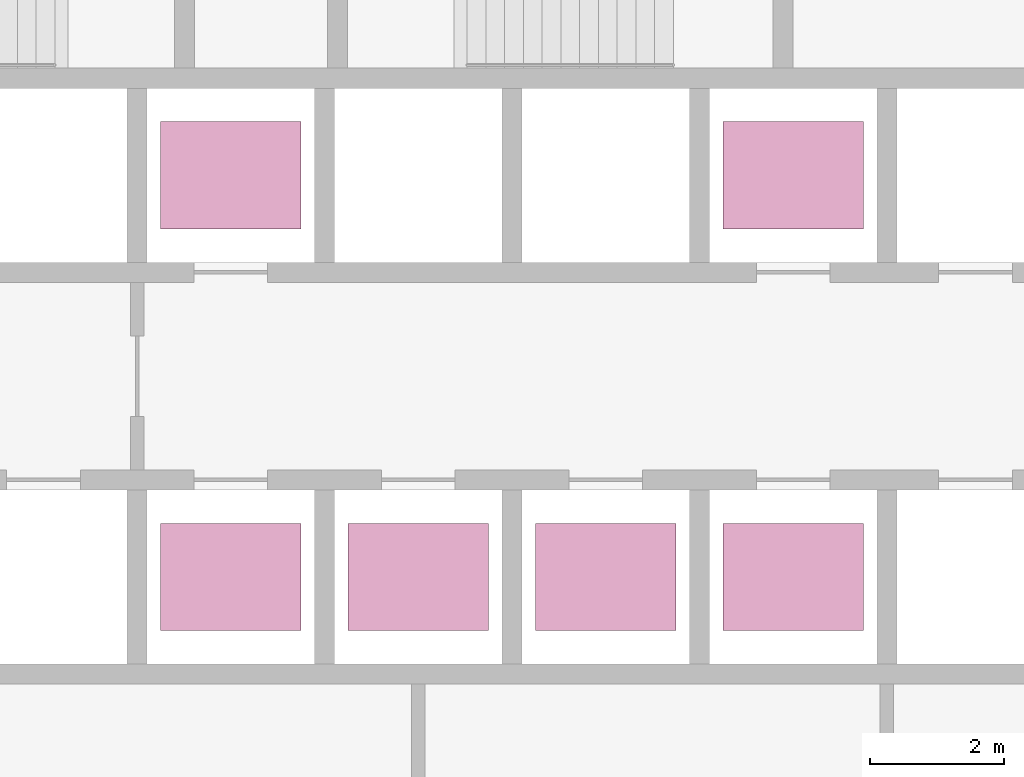
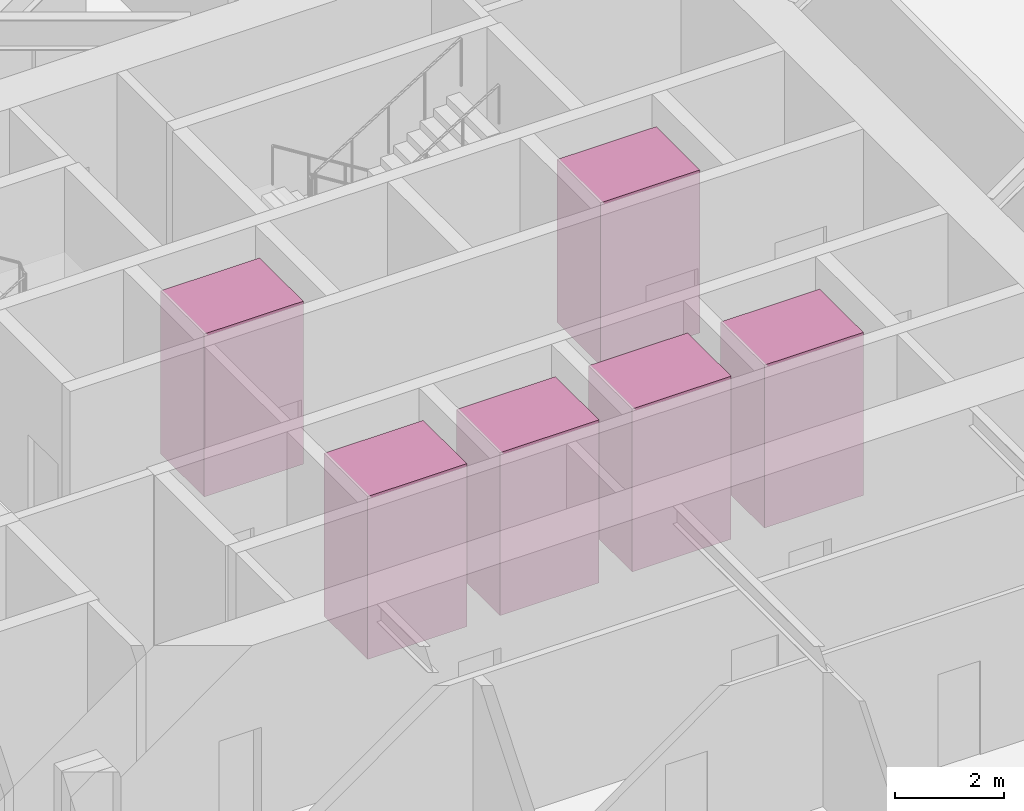
# One storey, part 21 of 21: 6 transport elements.
"""IFC4 building model written with IfcOpenShell, lengths in metres."""

from ifc_helpers import new_model, si_unit, direction, frame, origin, origin_2d, place, context, subcontext, project, spatial, rectangle, extrude, material, type_object, element, save


model = new_model("IFC4")

# Units and contexts
model_context = context("Model", 3, precision=1e-05, world=origin(), true_north=direction((0.0, 1.0)))
body_context = subcontext(model_context, "Body", "Model", "MODEL_VIEW")
ifc_project = project(units=[si_unit("LENGTHUNIT", "METRE"), si_unit("AREAUNIT", "SQUARE_METRE"), si_unit("VOLUMEUNIT", "CUBIC_METRE"), si_unit("PLANEANGLEUNIT", "RADIAN"), si_unit("MASSUNIT", "GRAM", prefix="KILO")], contexts=[model_context])

# Site, building, storey
site_placement = place(None, origin())
site = spatial("IfcSite", under=ifc_project, at=site_placement, CompositionType="ELEMENT")
building_placement = place(site_placement, origin())
building = spatial("IfcBuilding", under=site, at=building_placement, Name="Firuza Gate Tower and Library", CompositionType="ELEMENT")
storey_placement = place(building_placement, frame((0.0, 0.0, 94.60009765625)))
storey = spatial("IfcBuildingStorey", under=building, at=storey_placement, Name="L21", CompositionType="ELEMENT", Elevation=94.60009765625)

# Transport elements
ifc_material = material(Name="Stainless steel and glass", Category="steel")
transport_element_type = type_object("IfcTransportElementType", Name="Low-rise lift car 2100x1600", PredefinedType="ELEVATOR", material=ifc_material)
for number, where, z_axis, x_axis, name in (
    (1, (74.64990234375, 70.300048828125, 0.0), (0.0, 0.0, 1.0), (1.0, 0.0, 0.0), "Low-rise lift LR1"),
    (2, (77.449951171875, 70.300048828125, 0.0), (0.0, 0.0, 1.0), (1.0, 0.0, 0.0), "Low-rise lift LR2"),
    (3, (80.25, 70.300048828125, 0.0), (0.0, 0.0, 1.0), (1.0, 0.0, 0.0), "Low-rise lift LR3"),
    (4, (74.64990234375, 76.300048828125, 0.0), (0.0, 0.0, 1.0), (1.0, 0.0, 0.0), "Low-rise lift LR4"),
    (5, (83.050048828125, 70.300048828125, 0.0), (0.0, 0.0, 1.0), (1.0, 0.0, 0.0), "Low-rise lift LR5"),
    (6, (83.050048828125, 76.300048828125, 0.0), (0.0, 0.0, 1.0), (1.0, 0.0, 0.0), "Low-rise lift LR6"),
):
    element("IfcTransportElement", number, at=place(storey_placement, frame(where, z_axis=z_axis, x_axis=x_axis)), inside=storey, type_object=transport_element_type, Name=name, PredefinedType="ELEVATOR", context=body_context, shape_type="SweptSolid", body=[
        extrude(rectangle(XDim=2.10009765625, YDim=1.60009765625, at=origin_2d()), origin(), (0.0, 0.0, 1.0), 3.64990234375),
    ])

save(model, "model.ifc")
